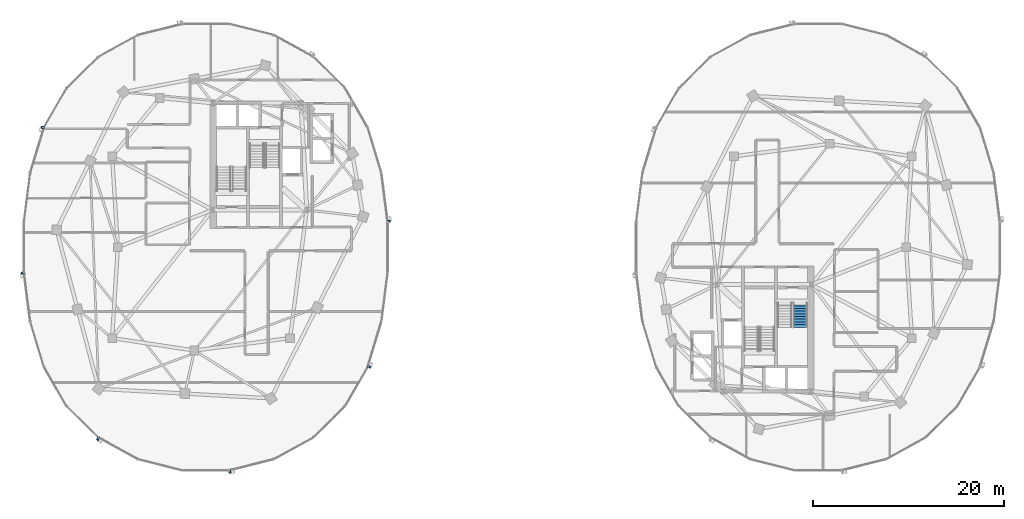
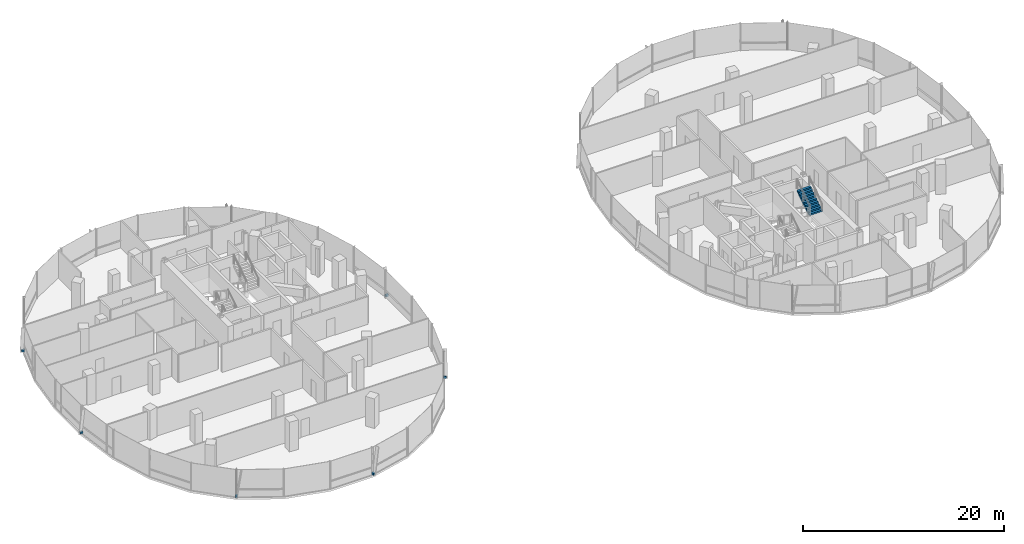
# One storey, part 16 of 23: 6 discrete accessories, 1 stair flight, 1 element without a shape of its own.
"""IFC4 building model written with IfcOpenShell, lengths in metres."""

import ifcopenshell
import ifcopenshell.guid

model = None  # the IFC model being written
_history = None  # IfcOwnerHistory: only IFC2X3 demands one
_inside = {}  # id of a spatial element -> (the spatial element, [elements in it])
_under = {}  # id of a project, library or spatial element -> (it, [spatial elements below it])
_declared = {}  # id of a project -> (the project, [libraries it declares])
_typed = {}  # id of a type object -> (the type object, [elements of that type])
_made_of = {}  # id of a material, layer set ... -> (it, [elements and type objects made of it])


def new_model(schema):
    """Start an empty IFC model of exactly this schema.

    Asked for "IFC4X3", IfcOpenShell would pick the latest addendum, in which some entities
    have other attributes; the version numbers below select the first issue.
    IFC2X3 requires an IfcOwnerHistory on every rooted entity: one is made here for all.
    """
    global model, _history
    if schema == "IFC4X3":
        model = ifcopenshell.file(schema_version=(4, 3, 0, 0))
    else:
        model = ifcopenshell.file(schema=schema)
    _inside.clear()
    _under.clear()
    _declared.clear()
    _typed.clear()
    _made_of.clear()
    _history = None
    if model.schema == "IFC2X3":
        org = make("IfcOrganization", Name="unknown")
        user = make(
            "IfcPersonAndOrganization",
            ThePerson=make("IfcPerson", FamilyName="unknown"),
            TheOrganization=org,
        )
        app = make(
            "IfcApplication",
            ApplicationDeveloper=org,
            Version="unknown",
            ApplicationFullName="unknown",
            ApplicationIdentifier="unknown",
        )
        _history = make(
            "IfcOwnerHistory",
            OwningUser=user,
            OwningApplication=app,
            ChangeAction="ADDED",
            CreationDate=0,
        )
    return model


def make(cls, **values):
    """One entity of the class cls with the attributes given. An attribute that is None is left unset."""
    return model.create_entity(
        cls, **{name: value for name, value in values.items() if value is not None}
    )


def rooted(cls, **values):
    """An entity with a GlobalId (a new one), such as an element, a storey or a relation."""
    return make(cls, GlobalId=ifcopenshell.guid.new(), OwnerHistory=_history, **values)


def si_unit(unit_type, name, prefix=None):
    """IfcSIUnit, for example si_unit("LENGTHUNIT", "METRE", prefix="MILLI")."""
    return make("IfcSIUnit", UnitType=unit_type, Prefix=prefix, Name=name)


def assignment(units):
    """IfcUnitAssignment: the units of a project."""
    return None if units is None else make("IfcUnitAssignment", Units=units)


def point(xyz):
    """IfcCartesianPoint."""
    return None if xyz is None else make("IfcCartesianPoint", Coordinates=xyz)


def direction(xyz):
    """IfcDirection."""
    return None if xyz is None else make("IfcDirection", DirectionRatios=xyz)


def frame(location, z_axis=None, x_axis=None):
    """IfcAxis2Placement3D, a coordinate frame: its origin and axes. An axis left out is left unset."""
    return make(
        "IfcAxis2Placement3D",
        Location=point(location),
        Axis=direction(z_axis),
        RefDirection=direction(x_axis),
    )


def frame_2d(location, x_axis=None):
    """IfcAxis2Placement2D, a coordinate frame in the plane: its origin and x axis."""
    return make(
        "IfcAxis2Placement2D", Location=point(location), RefDirection=direction(x_axis)
    )


def origin():
    """The frame at (0, 0, 0) with its axes left unset."""
    return frame((0.0, 0.0, 0.0))


def origin_2d():
    """The frame at (0, 0) in the plane with its x axis left unset."""
    return frame_2d((0.0, 0.0))


def place(relative_to, where):
    """IfcLocalPlacement: puts the frame where relative to a parent placement (None: the world)."""
    return make(
        "IfcLocalPlacement", PlacementRelTo=relative_to, RelativePlacement=where
    )


def context(
    kind, dimensions, precision=None, world=None, true_north=None, identifier=None
):
    """IfcGeometricRepresentationContext, for example the 3D "Model" context."""
    return make(
        "IfcGeometricRepresentationContext",
        ContextIdentifier=identifier,
        ContextType=kind,
        CoordinateSpaceDimension=dimensions,
        Precision=precision,
        WorldCoordinateSystem=world,
        TrueNorth=true_north,
    )


def subcontext(parent, identifier, kind, view, scale=None):
    """IfcGeometricRepresentationSubContext, for example "Body" below "Model"."""
    return make(
        "IfcGeometricRepresentationSubContext",
        ContextIdentifier=identifier,
        ContextType=kind,
        ParentContext=parent,
        TargetScale=scale,
        TargetView=view,
    )


def project(units=None, contexts=None):
    """IfcProject with its units and contexts."""
    return rooted(
        "IfcProject",
        Name="project",
        RepresentationContexts=contexts,
        UnitsInContext=assignment(units),
    )


def spatial(cls, under=None, at=None, **own):
    """A site, building, storey or space (cls), placed at a placement, below another one or the project."""
    s = rooted(cls, ObjectPlacement=at, **own)
    if under is not None:
        _under.setdefault(under.id(), (under, []))[1].append(s)
    return s


def polyline(points):
    """IfcPolyline through the points."""
    return make("IfcPolyline", Points=[point(p) for p in points])


def profile(cls, at=None, kind="AREA", **sizes):
    """A parametric profile (cls). Its sizes go by their IFC names, for example OverallWidth=200.0."""
    return make(cls, ProfileType=kind, Position=at, **sizes)


def rectangle(**sizes):
    """IfcRectangleProfileDef."""
    return profile("IfcRectangleProfileDef", **sizes)


def outline(outer, holes=None, kind="AREA"):
    """IfcArbitraryClosedProfileDef: a profile drawn as a closed curve; with holes, ...WithVoids."""
    if holes is None:
        return make("IfcArbitraryClosedProfileDef", ProfileType=kind, OuterCurve=outer)
    return make(
        "IfcArbitraryProfileDefWithVoids",
        ProfileType=kind,
        OuterCurve=outer,
        InnerCurves=holes,
    )


def extrude(swept, where, along, depth):
    """IfcExtrudedAreaSolid: the profile swept, set in the frame where, extruded along a direction by depth."""
    return make(
        "IfcExtrudedAreaSolid",
        SweptArea=swept,
        Position=where,
        ExtrudedDirection=direction(along),
        Depth=depth,
    )


def shape(context_of_items, identifier, shape_type, items):
    """IfcShapeRepresentation: the items that make up one representation, for example the "Body"."""
    return make(
        "IfcShapeRepresentation",
        ContextOfItems=context_of_items,
        RepresentationIdentifier=identifier,
        RepresentationType=shape_type,
        Items=items,
    )


def material(Name=None, Category=None):
    """IfcMaterial."""
    return make("IfcMaterial", Name=Name, Category=Category)


def made_of(thing, what):
    """Note that an element or type object is made of a material, layer set ...; save() writes the relation."""
    if what is not None:
        _made_of.setdefault(what.id(), (what, []))[1].append(thing)
    return thing


def type_object(cls, material=None, **own):
    """A type object (cls), such as IfcWallType, which elements share."""
    return made_of(rooted(cls, **own), material)


def element(
    cls,
    number,
    at=None,
    inside=None,
    cuts=None,
    type_object=None,
    material=None,
    context=None,
    identifier="Body",
    shape_type=None,
    held_by="IfcProductDefinitionShape",
    body=None,
    shapes=None,
    **own,
):
    """One element of the class cls, such as IfcWall. Its Tag is "e" and its number.

    at: its placement. inside: the storey or other place that contains it. cuts: it is an
    opening in that element (IfcRelVoidsElement). A single representation is given by context,
    identifier, shape_type and body (its items); several are given by shapes. held_by: the class
    of the entity that holds the representations. save() writes the other relations.
    """
    e = rooted(cls, Tag="e%d" % number, ObjectPlacement=at, **own)
    if body is not None:
        shapes = [shape(context, identifier, shape_type, body)]
    if shapes is not None:
        e.Representation = make(held_by, Representations=shapes)
    if inside is not None:
        _inside.setdefault(inside.id(), (inside, []))[1].append(e)
    if cuts is not None:
        rooted(
            "IfcRelVoidsElement", RelatingBuildingElement=cuts, RelatedOpeningElement=e
        )
    if type_object is not None:
        _typed.setdefault(type_object.id(), (type_object, []))[1].append(e)
    return made_of(e, material)


def aggregate(whole, parts):
    """IfcRelAggregates: a whole, such as a stair, and the parts it consists of."""
    return rooted("IfcRelAggregates", RelatingObject=whole, RelatedObjects=parts)


def save(model, path):
    """Write the relations noted so far, then the file.

    IfcRelAggregates (storeys below a building ...), IfcRelContainedInSpatialStructure (elements
    in a storey), IfcRelDefinesByType, IfcRelAssociatesMaterial and IfcRelDeclares: one each for
    every whole, place, type object, material and project.
    """
    for whole, parts in _under.values():
        aggregate(whole, parts)
    for where, things in _inside.values():
        rooted(
            "IfcRelContainedInSpatialStructure",
            RelatedElements=things,
            RelatingStructure=where,
        )
    for kind, things in _typed.values():
        rooted("IfcRelDefinesByType", RelatedObjects=things, RelatingType=kind)
    for what, things in _made_of.values():
        rooted("IfcRelAssociatesMaterial", RelatedObjects=things, RelatingMaterial=what)
    for by, libraries in _declared.values():
        rooted("IfcRelDeclares", RelatingContext=by, RelatedDefinitions=libraries)
    model.write(path)


model = new_model("IFC4")

# Units and contexts
model_context = context("Model", 3, precision=1e-05, world=origin(), true_north=direction((0.0, 1.0)))
body_context = subcontext(model_context, "Body", "Model", "MODEL_VIEW")
ifc_project = project(units=[si_unit("LENGTHUNIT", "METRE"), si_unit("AREAUNIT", "SQUARE_METRE"), si_unit("VOLUMEUNIT", "CUBIC_METRE"), si_unit("PLANEANGLEUNIT", "RADIAN"), si_unit("MASSUNIT", "GRAM", prefix="KILO"), si_unit("THERMODYNAMICTEMPERATUREUNIT", "KELVIN"), si_unit("POWERUNIT", "WATT")], contexts=[model_context])

# Site, building, storey
site_placement = place(None, origin())
site = spatial("IfcSite", under=ifc_project, at=site_placement, CompositionType="ELEMENT")
building_placement = place(site_placement, origin())
building = spatial("IfcBuilding", under=site, at=building_placement, Name="Cundina Bronze Exchange", CompositionType="ELEMENT")
storey_placement = place(building_placement, frame((0.0, 0.0, 169.199951171875)))
storey = spatial("IfcBuildingStorey", under=building, at=storey_placement, Name="L44", CompositionType="ELEMENT", Elevation=169.199951171875)

# Stair, stair flight
ifc_material_1 = material(Name="Concrete C40/50", Category="concrete")
stair_type = type_object("IfcStairType", Name="STR-OFF-360", PredefinedType="HALF_TURN_STAIR", material=ifc_material_1)
stair_placement = place(storey_placement, origin())
stair = element("IfcStair", 1, at=stair_placement, inside=storey, type_object=stair_type, Name="L44 Smokeproof Exit Stair E1", PredefinedType="HALF_TURN_STAIR")
stair_flight_type = type_object("IfcStairFlightType", Name="FLG-OFF-180", PredefinedType="STRAIGHT", material=ifc_material_1)
stair_flight_placement = place(storey_placement, frame((30.14990234375, -8.3701171875, 1.800048828125), z_axis=(0.0, 0.0, 1.0), x_axis=(0.0, 1.0, 0.0)))
stair_flight = element("IfcStairFlight", 2, at=stair_flight_placement, type_object=stair_flight_type, Name="ST-E1 flight 2", NumberOfRisers=10, NumberOfTreads=9, PredefinedType="STRAIGHT", RiserHeight=0.18, TreadLength=0.28, context=body_context, shape_type="SweptSolid", body=[
    extrude(outline(polyline([(0.0, 0.0), (0.0, 0.179931640625), (0.280029296875, 0.179931640625), (0.280029296875, 0.360107421875), (0.56005859375, 0.360107421875), (0.56005859375, 0.5400390625), (0.840087890625, 0.5400390625), (0.840087890625, 0.719970703125), (1.1201171875, 0.719970703125), (1.1201171875, 0.89990234375), (1.39990234375, 0.89990234375), (1.39990234375, 1.080078125), (1.679931640625, 1.080078125), (1.679931640625, 1.260009765625), (1.9599609375, 1.260009765625), (1.9599609375, 1.43994140625), (2.239990234375, 1.43994140625), (2.239990234375, 1.6201171875), (2.52001953125, 1.6201171875), (2.52001953125, 1.800048828125), (2.52001953125, 1.44189453125), (0.277099609375, 0.0), (0.0, 0.0)])), frame((0.0, 0.75, 0.0), z_axis=(0.0, -1.0, 0.0), x_axis=(1.0, 0.0, 0.0)), (0.0, 0.0, 1.0), 1.5),
])
aggregate(stair, [stair_flight])

# Discrete accessories
ifc_material_2 = material(Name="Anodised Bronze Aluminium 6063-T6", Category="aluminium")
discrete_accessory_type = type_object("IfcDiscreteAccessoryType", Name="ACC-BRK-FIN", PredefinedType="BRACKET", material=ifc_material_2)
for number, where, z_axis, x_axis, name in (
    (3, (-12.874267578125, 2.69189453125, 0.10009765625), (0.0, 0.0, 1.0), (-0.126475984253, 0.9919696696, 0.0), "L44 Fin Support Bracket 1"),
    (4, (-49.0458984375, 12.511962890625, 0.10009765625), (0.0, 0.0, 1.0), (-0.290050843957, -0.957011237092, 0.0), "L44 Fin Support Bracket 5"),
    (5, (-51.125732421875, -2.69189453125, 0.10009765625), (0.0, 0.0, 1.0), (0.126475984253, -0.9919696696, 0.0), "L44 Fin Support Bracket 1"),
    (6, (-43.266845703125, -20.015380859375, 0.10009765625), (0.0, 0.0, 1.0), (0.875869093438, -0.482548786301, 0.0), "L44 Fin Support Bracket 5"),
    (7, (-29.507080078125, -23.44970703125, 0.10009765625), (0.0, 0.0, 1.0), (0.970092713791, 0.242734683656, 0.0), "L44 Fin Support Bracket 1"),
    (8, (-14.9541015625, -12.511962890625, 0.10009765625), (0.0, 0.0, 1.0), (0.290050843957, 0.957011237092, 0.0), "L44 Fin Support Bracket 5"),
):
    element("IfcDiscreteAccessory", number, at=place(storey_placement, frame(where, z_axis=z_axis, x_axis=x_axis)), inside=storey, type_object=discrete_accessory_type, Name=name, PredefinedType="BRACKET", context=body_context, shape_type="SweptSolid", body=[
        extrude(rectangle(XDim=0.219970703125, YDim=0.320068359375, at=origin_2d()), origin(), (0.0, 0.0, 1.0), 0.239990234375),
    ])

save(model, "model.ifc")
